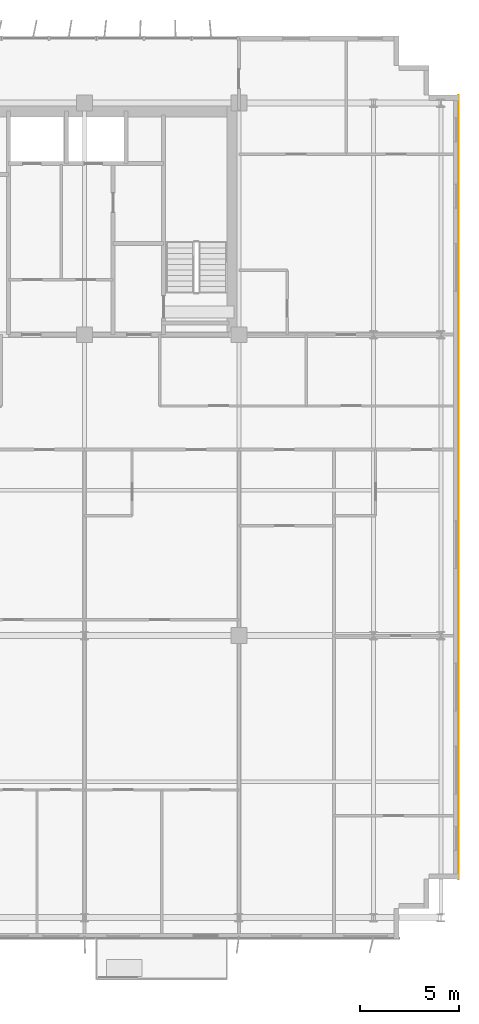
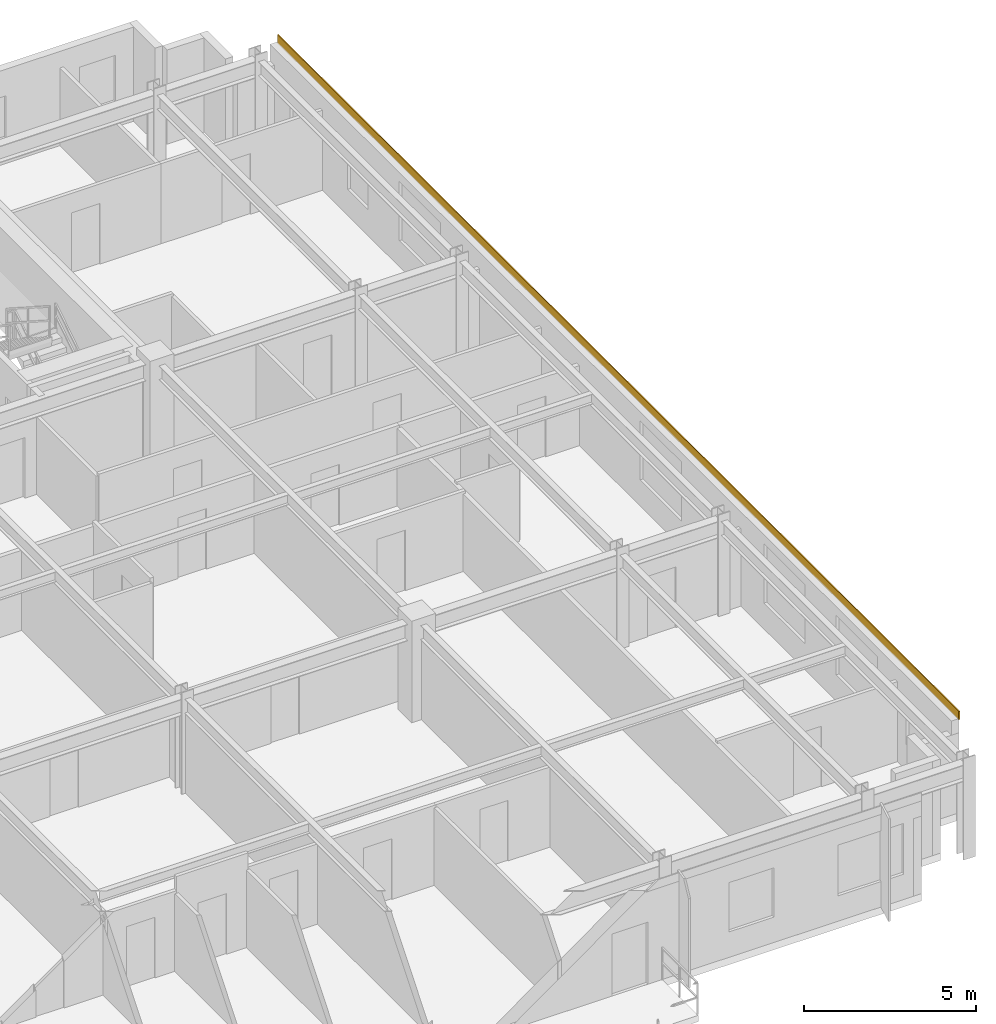
# One storey, part 22 of 22: 1 covering.
"""IFC4 building model written with IfcOpenShell, lengths in metres."""

from ifc_helpers import new_model, si_unit, direction, frame, origin, origin_2d, place, context, subcontext, project, spatial, rectangle, extrude, source, transform, mapped, material, layer, layer_set, type_object, element, save


model = new_model("IFC4")

# Units and contexts
model_context = context("Model", 3, precision=1e-05, world=origin(), true_north=direction((0.0, 1.0)))
body_context = subcontext(model_context, "Body", "Model", "MODEL_VIEW")
ifc_project = project(units=[si_unit("LENGTHUNIT", "METRE"), si_unit("AREAUNIT", "SQUARE_METRE"), si_unit("VOLUMEUNIT", "CUBIC_METRE"), si_unit("PLANEANGLEUNIT", "RADIAN"), si_unit("MASSUNIT", "GRAM", prefix="KILO")], contexts=[model_context])

# Site, building, storey
site_placement = place(None, origin())
site = spatial("IfcSite", under=ifc_project, at=site_placement, CompositionType="ELEMENT")
building_placement = place(site_placement, origin())
building = spatial("IfcBuilding", under=site, at=building_placement, Name="Trelvane Seafront Commons", CompositionType="ELEMENT")
storey_placement = place(building_placement, frame((0.0, 0.0, 85.300048828125)))
storey = spatial("IfcBuildingStorey", under=building, at=storey_placement, Name="L21", CompositionType="ELEMENT", Elevation=85.300048828125)

# Covering
ifc_material = material(Name="Anodised pale-silver aluminium", Category="aluminium")
ifc_layer = layer(ifc_material, 0.034912109375, Name="ARCH-COV-CLAD35")
ifc_layer_set = layer_set([ifc_layer], Name="Anodised pale-silver aluminium")
covering_type = type_object("IfcCoveringType", Name="ARCH-COV-CLAD35", PredefinedType="CLADDING", material=ifc_layer_set)
shared_shape = source(origin(), body_context, "Body", "SweptSolid", [
    extrude(rectangle(XDim=39.60009765625, YDim=0.034912109375, at=origin_2d()), origin(), (0.0, 0.0, 1.0), 0.300048828125),
])
covering_placement = place(storey_placement, frame((69.89990234375, 25.699951171875, 3.2998046875), z_axis=(0.0, 0.0, 1.0), x_axis=(0.0, -1.0, 0.0)))
element("IfcCovering", 1, at=covering_placement, inside=storey, type_object=covering_type, Name="CLD-L21-00095", PredefinedType="CLADDING", context=body_context, shape_type="MappedRepresentation", body=[
    mapped(shared_shape, transform((0.0, 0.0, 0.0), x_axis=(1.0, 0.0, 0.0), y_axis=(0.0, 1.0, 0.0), z_axis=(0.0, 0.0, 1.0), scale=1.0)),
])

save(model, "model.ifc")
